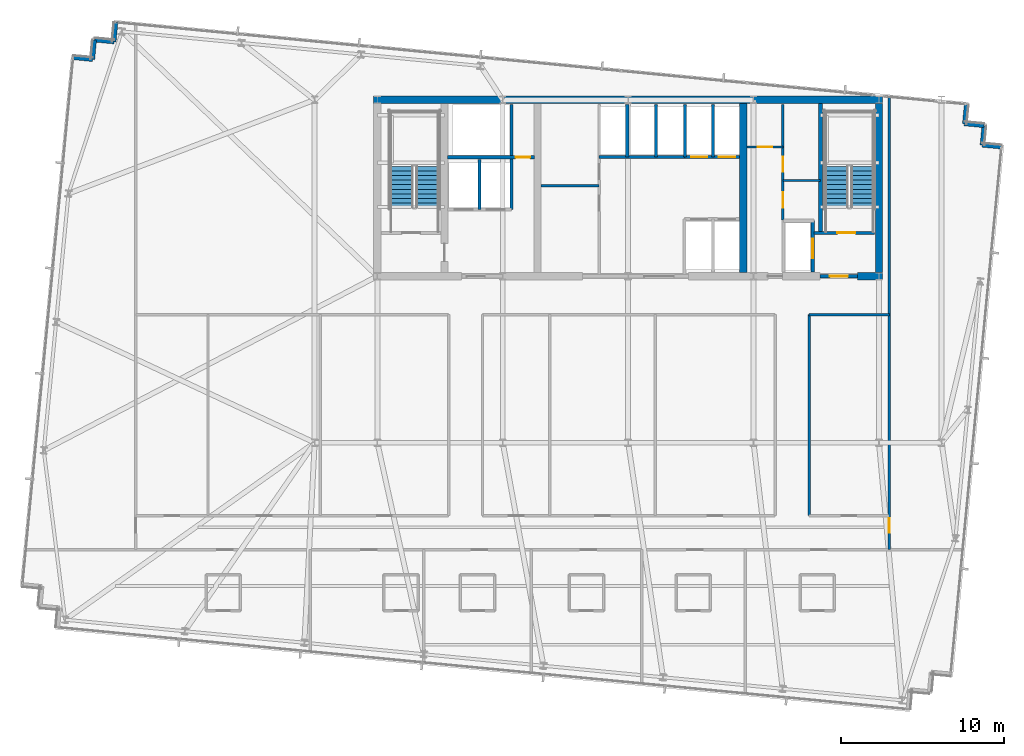
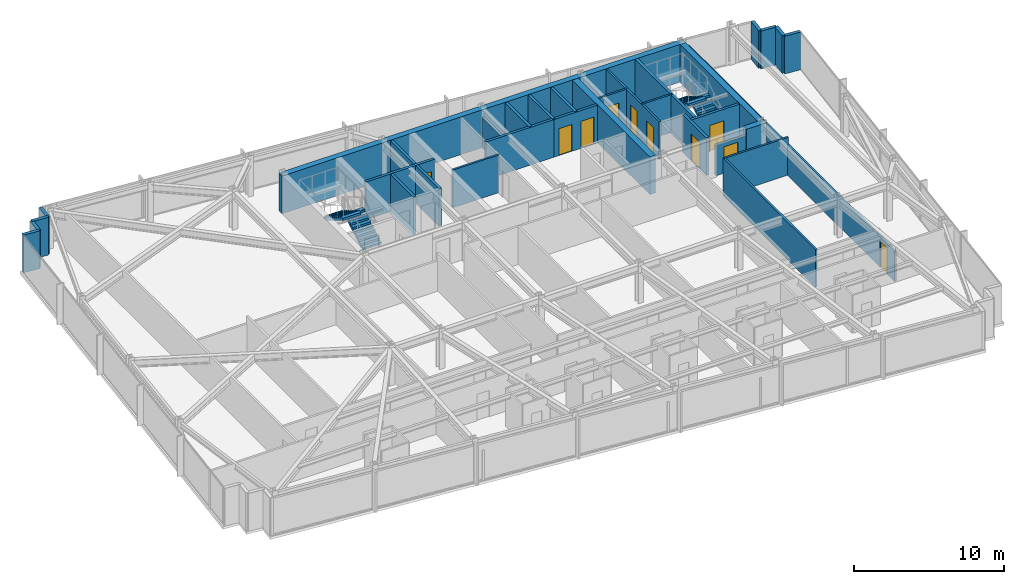
# One storey, part 31 of 36: 32 walls, 10 doors, 4 stair flights, 10 openings, 2 elements without a shape of their own.
"""IFC4 building model written with IfcOpenShell, lengths in metres."""

from ifc_helpers import new_model, si_unit, direction, frame, frame_2d, origin, place, context, subcontext, project, spatial, polyline, rectangle, outline, extrude, material, layer, layer_set, type_object, element, fill, aggregate, save


model = new_model("IFC4")

# Units and contexts
model_context = context("Model", 3, precision=1e-05, world=origin(), true_north=direction((0.0, 1.0)))
body_context = subcontext(model_context, "Body", "Model", "MODEL_VIEW")
ifc_project = project(units=[si_unit("LENGTHUNIT", "METRE"), si_unit("AREAUNIT", "SQUARE_METRE"), si_unit("VOLUMEUNIT", "CUBIC_METRE"), si_unit("PLANEANGLEUNIT", "RADIAN"), si_unit("MASSUNIT", "GRAM", prefix="KILO")], contexts=[model_context])

# Site, building, storey
site_placement = place(None, origin())
site = spatial("IfcSite", under=ifc_project, at=site_placement, CompositionType="ELEMENT")
building_placement = place(site_placement, origin())
building = spatial("IfcBuilding", under=site, at=building_placement, Name="Yelkora Congress Tower", CompositionType="ELEMENT")
storey_placement = place(building_placement, frame((0.0, 0.0, 152.300048828125)))
storey = spatial("IfcBuildingStorey", under=building, at=storey_placement, Name="L41", CompositionType="ELEMENT", Elevation=152.300048828125)

# Walls
ifc_material_1 = material(Name="Concrete C50/60", Category="concrete")
ifc_layer_1 = layer(ifc_material_1, 0.219970703125)
ifc_layer_set_1 = layer_set([ifc_layer_1], Name="Concrete C50/60")
wall_type_1 = type_object("IfcWallType", Name="WALL-CORE-INT-220", PredefinedType="SHEAR", material=ifc_layer_set_1)
wall_1_placement = place(storey_placement, frame((50.179931640625, 38.050048828125, 0.0), z_axis=(0.0, 0.0, 1.0), x_axis=(0.0, 1.0, 0.0)))
element("IfcWall", 1, at=wall_1_placement, inside=storey, type_object=wall_type_1, Name="L41 ST02 West Stair Shear Wall", PredefinedType="SHEAR", context=body_context, shape_type="SweptSolid", body=[
    extrude(rectangle(XDim=7.925048828125, YDim=0.219970703125, at=frame_2d((3.96240234375, 0.0))), origin(), (0.0, 0.0, 1.0), 3.079833984375),
])
ifc_material_2 = material(Name="Concrete C60/75", Category="concrete")
ifc_layer_2 = layer(ifc_material_2, 0.449951171875)
ifc_layer_set_2 = layer_set([ifc_layer_2], Name="Concrete C60/75")
wall_type_2 = type_object("IfcWallType", Name="WALL-CORE-INT-450", PredefinedType="SHEAR", material=ifc_layer_set_2)
wall_2_placement = place(storey_placement, frame((22.81494140625, 46.199951171875, 0.0), z_axis=(0.0, 0.0, 1.0), x_axis=(1.0, 0.0, 0.0)))
element("IfcWall", 2, at=wall_2_placement, inside=storey, type_object=wall_type_2, Name="L41 Rear Core North Shear Wall", PredefinedType="SHEAR", context=body_context, shape_type="SweptSolid", body=[
    extrude(rectangle(XDim=31.170166015625, YDim=0.449951171875, at=frame_2d((15.5849609375, 0.0))), origin(), (0.0, 0.0, 1.0), 3.079833984375),
])
wall_3_placement = place(storey_placement, frame((52.449951171875, 35.39990234375, 0.0), z_axis=(0.0, 0.0, 1.0), x_axis=(1.0, 0.0, 0.0)))
element("IfcWall", 3, at=wall_3_placement, inside=storey, type_object=wall_type_2, Name="L41 Rear Core South-East Shear Wall B", PredefinedType="SHEAR", context=body_context, shape_type="SweptSolid", body=[
    extrude(rectangle(XDim=1.53515625, YDim=0.449951171875, at=frame_2d((0.767578125, 0.0))), origin(), (0.0, 0.0, 1.0), 3.079833984375),
])
for number, where, z_axis, x_axis, name in (
    (4, (45.449951171875, 35.625, 0.0), (0.0, 0.0, 1.0), (0.0, 1.0, 0.0), "L41 Rear Core Cross Shear Wall C3"),
    (5, (53.760009765625, 35.625, 0.0), (0.0, 0.0, 1.0), (0.0, 1.0, 0.0), "L41 Rear Core Cross Shear Wall E"),
):
    element("IfcWall", number, at=place(storey_placement, frame(where, z_axis=z_axis, x_axis=x_axis)), inside=storey, type_object=wall_type_2, Name=name, PredefinedType="SHEAR", context=body_context, shape_type="SweptSolid", body=[
        extrude(rectangle(XDim=10.35009765625, YDim=0.449951171875, at=frame_2d((5.175048828125, 0.0))), origin(), (0.0, 0.0, 1.0), 3.079833984375),
    ])
ifc_material_3 = material(Name="Concrete C40/50", Category="concrete")
ifc_layer_3 = layer(ifc_material_3, 0.239990234375)
ifc_layer_set_3 = layer_set([ifc_layer_3], Name="Concrete C40/50")
wall_type_3 = type_object("IfcWallType", Name="WALL-EXT-LIMESTONE-240", PredefinedType="SOLIDWALL", material=ifc_layer_set_3)
wall_4_placement = place(storey_placement, frame((4.41064453125, 48.778564453125, 0.0), z_axis=(0.0, 0.0, 1.0), x_axis=(0.995397091755, -0.095836473879, 0.0)))
element("IfcWall", 6, at=wall_4_placement, inside=storey, type_object=wall_type_3, Name="L41 Serrated Corner Limestone Pier 6", PredefinedType="SOLIDWALL", context=body_context, shape_type="SweptSolid", body=[
    extrude(rectangle(XDim=1.199951171875, YDim=0.239990234375, at=frame_2d((0.60009765625, 0.0))), origin(), (0.0, 0.0, 1.0), 3.079833984375),
])
wall_5_placement = place(storey_placement, frame((5.60498046875, 48.66357421875, 0.0), z_axis=(0.0, 0.0, 1.0), x_axis=(0.096018626938, 0.995379537303, 0.0)))
element("IfcWall", 7, at=wall_5_placement, inside=storey, type_object=wall_type_3, Name="L41 Serrated Corner Limestone Pier 7", PredefinedType="SOLIDWALL", context=body_context, shape_type="SweptSolid", body=[
    extrude(rectangle(XDim=1.2001953125, YDim=0.239990234375, at=frame_2d((0.60009765625, 0.0))), origin(), (0.0, 0.0, 1.0), 3.079833984375),
])
for number, where, z_axis, x_axis, name in (
    (8, (5.72021484375, 49.858154296875, 0.0), (0.0, 0.0, 1.0), (0.995397091755, -0.095836473879, 0.0), "L41 Serrated Corner Limestone Pier 8"),
    (9, (6.91455078125, 49.7431640625, 0.0), (0.0, 0.0, 1.0), (0.095836473879, 0.995397091755, 0.0), "L41 Serrated Corner Limestone Pier 9"),
):
    element("IfcWall", number, at=place(storey_placement, frame(where, z_axis=z_axis, x_axis=x_axis)), inside=storey, type_object=wall_type_3, Name=name, PredefinedType="SOLIDWALL", context=body_context, shape_type="SweptSolid", body=[
        extrude(rectangle(XDim=1.199951171875, YDim=0.239990234375, at=frame_2d((0.60009765625, 0.0))), origin(), (0.0, 0.0, 1.0), 3.079833984375),
    ])
for number, where, z_axis, x_axis, name in (
    (10, (59.108642578125, 45.923095703125, 0.0), (0.0, 0.0, 1.0), (-0.095817067274, -0.995398960025, 0.0), "L41 Serrated Corner Limestone Pier 11"),
    (11, (58.99365234375, 44.728515625, 0.0), (0.0, 0.0, 1.0), (0.995398960025, -0.095817067274, 0.0), "L41 Serrated Corner Limestone Pier 12"),
    (12, (60.188232421875, 44.613525390625, 0.0), (0.0, 0.0, 1.0), (-0.096018626938, -0.995379537303, 0.0), "L41 Serrated Corner Limestone Pier 13"),
    (13, (60.072998046875, 43.4189453125, 0.0), (0.0, 0.0, 1.0), (0.995398960025, -0.095817067274, 0.0), "L41 Serrated Corner Limestone Pier 14"),
):
    element("IfcWall", number, at=place(storey_placement, frame(where, z_axis=z_axis, x_axis=x_axis)), inside=storey, type_object=wall_type_3, Name=name, PredefinedType="SOLIDWALL", context=body_context, shape_type="SweptSolid", body=[
        extrude(rectangle(XDim=1.2001953125, YDim=0.239990234375, at=frame_2d((0.60009765625, 0.0))), origin(), (0.0, 0.0, 1.0), 3.079833984375),
    ])

# Wall, opening, door
ifc_material_4 = material(Name="Acoustic metal-stud gypsum partition", Category="gypsum")
ifc_layer_4 = layer(ifc_material_4, 0.14990234375)
ifc_layer_set_4 = layer_set([ifc_layer_4], Name="Acoustic metal-stud gypsum partition")
wall_type_4 = type_object("IfcWallType", Name="WALL-INT-150-NR", PredefinedType="PARTITIONING", material=ifc_layer_set_4)
wall_6_placement = place(storey_placement, frame((45.679931640625, 43.31005859375, 0.0), z_axis=(0.0, 0.0, 1.0), x_axis=(1.0, 0.0, 0.0)))
wall_6 = element("IfcWall", 14, at=wall_6_placement, inside=storey, type_object=wall_type_4, Name="L41 Partition Wall 24", PredefinedType="PARTITIONING", context=body_context, shape_type="SweptSolid", body=[
    extrude(rectangle(XDim=2.199951171875, YDim=0.14990234375, at=frame_2d((1.10009765625, 0.0))), origin(), (0.0, 0.0, 1.0), 3.079833984375),
])
opening_1_placement = place(wall_6_placement, frame((0.64990234375, 0.0, 0.0)))
opening_1 = element("IfcOpeningElement", 15, at=opening_1_placement, cuts=wall_6, Name="Opening DR-090N", PredefinedType="OPENING", context=body_context, shape_type="SweptSolid", body=[
    extrude(rectangle(XDim=0.89990234375, YDim=2.14990234375, at=frame_2d((0.449951171875, 1.074951171875))), frame((0.0, 0.0849609375, 0.0), z_axis=(0.0, -1.0, 0.0), x_axis=(1.0, 0.0, 0.0)), (0.0, 0.0, 1.0), 0.169921875),
])
ifc_material_5 = material(Name="Moisture-resistant laminate door leaf", Category="wood")
door_type_1 = type_object("IfcDoorType", Name="DOOR-INT-900", OperationType="NOTDEFINED", PredefinedType="DOOR", material=ifc_material_5)
door_1_placement = place(opening_1_placement, origin())
door_1 = element("IfcDoor", 16, at=door_1_placement, inside=storey, type_object=door_type_1, Name="L41 Male WC Door", OperationType="SINGLE_SWING_RIGHT", OverallHeight=2.14990234375, OverallWidth=0.89990234375, PredefinedType="DOOR", context=body_context, shape_type="SweptSolid", body=[
    extrude(rectangle(XDim=0.89990234375, YDim=2.14990234375, at=frame_2d((0.449951171875, 1.074951171875))), frame((0.0, 0.02490234375, 0.0), z_axis=(0.0, -1.0, 0.0), x_axis=(1.0, 0.0, 0.0)), (0.0, 0.0, 1.0), 0.050048828125),
])
fill(opening_1, door_1)

# Wall
wall_7_placement = place(storey_placement, frame((47.8798828125, 41.260009765625, 0.0), z_axis=(0.0, 0.0, 1.0), x_axis=(1.0, 0.0, 0.0)))
element("IfcWall", 17, at=wall_7_placement, inside=storey, type_object=wall_type_4, Name="L41 Partition Wall 25", PredefinedType="PARTITIONING", context=body_context, shape_type="SweptSolid", body=[
    extrude(rectangle(XDim=2.300048828125, YDim=0.14990234375, at=frame_2d((1.14990234375, 0.0))), origin(), (0.0, 0.0, 1.0), 3.079833984375),
])

# Wall, openings, doors
wall_8_placement = place(storey_placement, frame((47.8798828125, 38.85009765625, 0.0), z_axis=(0.0, 0.0, 1.0), x_axis=(0.0, 1.0, 0.0)))
wall_8 = element("IfcWall", 18, at=wall_8_placement, inside=storey, type_object=wall_type_4, Name="L41 Partition Wall 26", PredefinedType="PARTITIONING", context=body_context, shape_type="SweptSolid", body=[
    extrude(rectangle(XDim=7.06982421875, YDim=0.14990234375, at=frame_2d((3.534912109375, 0.0))), origin(), (0.0, 0.0, 1.0), 3.079833984375),
])
opening_2_placement = place(wall_8_placement, frame((0.75, 0.0, 0.0)))
opening_2 = element("IfcOpeningElement", 19, at=opening_2_placement, cuts=wall_8, Name="Opening DR-095N", PredefinedType="OPENING", context=body_context, shape_type="SweptSolid", body=[
    extrude(rectangle(XDim=0.949951171875, YDim=2.14990234375, at=frame_2d((0.47509765625, 1.074951171875))), frame((0.0, 0.0849609375, 0.0), z_axis=(0.0, -1.0, 0.0), x_axis=(1.0, 0.0, 0.0)), (0.0, 0.0, 1.0), 0.169921875),
])
opening_3_placement = place(wall_8_placement, frame((2.949951171875, 0.0, 0.0)))
opening_3 = element("IfcOpeningElement", 20, at=opening_3_placement, cuts=wall_8, Name="Opening DR-090N", PredefinedType="OPENING", context=body_context, shape_type="SweptSolid", body=[
    extrude(rectangle(XDim=0.89990234375, YDim=2.14990234375, at=frame_2d((0.449951171875, 1.074951171875))), frame((0.0, 0.0849609375, 0.0), z_axis=(0.0, -1.0, 0.0), x_axis=(1.0, 0.0, 0.0)), (0.0, 0.0, 1.0), 0.169921875),
])
door_2_placement = place(opening_3_placement, origin())
door_2 = element("IfcDoor", 21, at=door_2_placement, inside=storey, type_object=door_type_1, Name="L41 Female WC Door", OperationType="SINGLE_SWING_RIGHT", OverallHeight=2.14990234375, OverallWidth=0.89990234375, PredefinedType="DOOR", context=body_context, shape_type="SweptSolid", body=[
    extrude(rectangle(XDim=0.89990234375, YDim=2.14990234375, at=frame_2d((0.449951171875, 1.074951171875))), frame((0.0, 0.02490234375, 0.0), z_axis=(0.0, -1.0, 0.0), x_axis=(1.0, 0.0, 0.0)), (0.0, 0.0, 1.0), 0.050048828125),
])
fill(opening_3, door_2)
ifc_material_6 = material(Name="Acoustic laminated timber office door", Category="wood")
door_type_2 = type_object("IfcDoorType", Name="DOOR-INT-950", OperationType="NOTDEFINED", PredefinedType="DOOR", material=ifc_material_6)
door_3_placement = place(opening_2_placement, origin())
door_3 = element("IfcDoor", 22, at=door_3_placement, inside=storey, type_object=door_type_2, Name="L41 Accessible WC Door", OperationType="SINGLE_SWING_LEFT", OverallHeight=2.14990234375, OverallWidth=0.949951171875, PredefinedType="DOOR", context=body_context, shape_type="SweptSolid", body=[
    extrude(rectangle(XDim=0.949951171875, YDim=2.14990234375, at=frame_2d((0.47509765625, 1.074951171875))), frame((0.0, 0.02490234375, 0.0), z_axis=(0.0, -1.0, 0.0), x_axis=(1.0, 0.0, 0.0)), (0.0, 0.0, 1.0), 0.050048828125),
])
fill(opening_2, door_3)

# Wall, opening, door
wall_9_placement = place(storey_placement, frame((54.39990234375, 18.64990234375, 0.0), z_axis=(0.0, 0.0, 1.0), x_axis=(0.0, 1.0, 0.0)))
wall_9 = element("IfcWall", 23, at=wall_9_placement, inside=storey, type_object=wall_type_4, Name="L41 Partition Wall 58", PredefinedType="PARTITIONING", context=body_context, shape_type="SweptSolid", body=[
    extrude(rectangle(XDim=27.78662109375, YDim=0.14990234375, at=frame_2d((13.893310546875, 0.0))), origin(), (0.0, 0.0, 1.0), 2.474853515625),
])
opening_4_placement = place(wall_9_placement, frame((1.030029296875, 0.0, 0.0)))
opening_4 = element("IfcOpeningElement", 24, at=opening_4_placement, cuts=wall_9, Name="Opening DR-090N", PredefinedType="OPENING", context=body_context, shape_type="SweptSolid", body=[
    extrude(rectangle(XDim=0.89990234375, YDim=2.14990234375, at=frame_2d((0.449951171875, 1.074951171875))), frame((0.0, 0.0849609375, 0.0), z_axis=(0.0, -1.0, 0.0), x_axis=(1.0, 0.0, 0.0)), (0.0, 0.0, 1.0), 0.169921875),
])
door_4_placement = place(opening_4_placement, origin())
door_4 = element("IfcDoor", 25, at=door_4_placement, inside=storey, type_object=door_type_1, Name="L41 E Wing Door", OperationType="SINGLE_SWING_RIGHT", OverallHeight=2.14990234375, OverallWidth=0.89990234375, PredefinedType="DOOR", context=body_context, shape_type="SweptSolid", body=[
    extrude(rectangle(XDim=0.89990234375, YDim=2.14990234375, at=frame_2d((0.449951171875, 1.074951171875))), frame((0.0, 0.02490234375, 0.0), z_axis=(0.0, -1.0, 0.0), x_axis=(1.0, 0.0, 0.0)), (0.0, 0.0, 1.0), 0.050048828125),
])
fill(opening_4, door_4)

# Walls
wall_10_placement = place(storey_placement, frame((49.47998046875, 20.72998046875, 0.0), z_axis=(0.0, 0.0, 1.0), x_axis=(0.0, 1.0, 0.0)))
element("IfcWall", 26, at=wall_10_placement, inside=storey, type_object=wall_type_4, Name="L41 Partition Wall 62", PredefinedType="PARTITIONING", context=body_context, shape_type="SweptSolid", body=[
    extrude(rectangle(XDim=12.320068359375, YDim=0.14990234375, at=frame_2d((6.16015625, 0.0))), origin(), (0.0, 0.0, 1.0), 3.079833984375),
])
wall_11_placement = place(storey_placement, frame((49.47998046875, 33.050048828125, 0.0), z_axis=(0.0, 0.0, 1.0), x_axis=(1.0, 0.0, 0.0)))
element("IfcWall", 27, at=wall_11_placement, inside=storey, type_object=wall_type_4, Name="L41 Partition Wall 65", PredefinedType="PARTITIONING", context=body_context, shape_type="SweptSolid", body=[
    extrude(rectangle(XDim=4.919921875, YDim=0.14990234375, at=frame_2d((2.4599609375, 0.0))), origin(), (0.0, 0.0, 1.0), 3.079833984375),
])
ifc_material_7 = material(Name="Twin-stud fire-rated gypsum partition", Category="gypsum")
ifc_layer_5 = layer(ifc_material_7, 0.14990234375)
ifc_layer_set_5 = layer_set([ifc_layer_5], Name="Twin-stud fire-rated gypsum partition")
wall_type_5 = type_object("IfcWallType", Name="WALL-INT-150-R60", PredefinedType="PARTITIONING", material=ifc_layer_set_5)
wall_12_placement = place(storey_placement, frame((33.050048828125, 40.949951171875, 0.0), z_axis=(0.0, 0.0, 1.0), x_axis=(1.0, 0.0, 0.0)))
element("IfcWall", 28, at=wall_12_placement, inside=storey, type_object=wall_type_5, Name="L41 Partition Wall 11", PredefinedType="PARTITIONING", context=body_context, shape_type="SweptSolid", body=[
    extrude(rectangle(XDim=3.570068359375, YDim=0.14990234375, at=frame_2d((1.78515625, 0.0))), origin(), (0.0, 0.0, 1.0), 3.079833984375),
])
ifc_material_8 = material(Name="Autoclaved aerated concrete blockwork", Category="masonry")
ifc_layer_6 = layer(ifc_material_8, 0.199951171875)
ifc_layer_set_6 = layer_set([ifc_layer_6], Name="Autoclaved aerated concrete blockwork")
wall_type_6 = type_object("IfcWallType", Name="WALL-INT-200-R120", PredefinedType="PARTITIONING", material=ifc_layer_set_6)
wall_13_placement = place(storey_placement, frame((29.300048828125, 39.47998046875, 0.0), z_axis=(0.0, 0.0, 1.0), x_axis=(0.0, 1.0, 0.0)))
element("IfcWall", 29, at=wall_13_placement, inside=storey, type_object=wall_type_6, Name="L41 Partition Wall 4", PredefinedType="PARTITIONING", context=body_context, shape_type="SweptSolid", body=[
    extrude(rectangle(XDim=3.070068359375, YDim=0.199951171875, at=frame_2d((1.53515625, 0.0))), origin(), (0.0, 0.0, 1.0), 3.079833984375),
])
wall_14_placement = place(storey_placement, frame((31.260009765625, 39.47998046875, 0.0), z_axis=(0.0, 0.0, 1.0), x_axis=(0.0, 1.0, 0.0)))
element("IfcWall", 30, at=wall_14_placement, inside=storey, type_object=wall_type_6, Name="L41 Partition Wall 5", PredefinedType="PARTITIONING", context=body_context, shape_type="SweptSolid", body=[
    extrude(rectangle(XDim=6.43994140625, YDim=0.199951171875, at=frame_2d((3.219970703125, 0.0))), origin(), (0.0, 0.0, 1.0), 3.079833984375),
])

# Wall, opening, door
wall_15_placement = place(storey_placement, frame((27.320068359375, 42.679931640625, 0.0), z_axis=(0.0, 0.0, 1.0), x_axis=(1.0, 0.0, 0.0)))
wall_15 = element("IfcWall", 31, at=wall_15_placement, inside=storey, type_object=wall_type_6, Name="L41 Smoke Riser South Wall", PredefinedType="PARTITIONING", context=body_context, shape_type="SweptSolid", body=[
    extrude(rectangle(XDim=5.329833984375, YDim=0.199951171875, at=frame_2d((2.6650390625, 0.0))), origin(), (0.0, 0.0, 1.0), 3.079833984375),
])
opening_5_placement = place(wall_15_placement, frame((4.179931640625, 0.0, 0.0)))
opening_5 = element("IfcOpeningElement", 32, at=opening_5_placement, cuts=wall_15, Name="Opening DR-090F6", PredefinedType="OPENING", context=body_context, shape_type="SweptSolid", body=[
    extrude(rectangle(XDim=0.89990234375, YDim=2.14990234375, at=frame_2d((0.449951171875, 1.074951171875))), frame((0.0, 0.10986328125, 0.0), z_axis=(0.0, -1.0, 0.0), x_axis=(1.0, 0.0, 0.0)), (0.0, 0.0, 1.0), 0.219970703125),
])
ifc_material_9 = material(Name="Painted steel riser fire door leaf", Category="steel")
door_type_3 = type_object("IfcDoorType", Name="DOOR-FD60-900", OperationType="NOTDEFINED", PredefinedType="DOOR", material=ifc_material_9)
door_5_placement = place(opening_5_placement, origin())
door_5 = element("IfcDoor", 33, at=door_5_placement, inside=storey, type_object=door_type_3, Name="L41 Riser Access Door", OperationType="SINGLE_SWING_LEFT", OverallHeight=2.14990234375, OverallWidth=0.89990234375, PredefinedType="DOOR", context=body_context, shape_type="SweptSolid", body=[
    extrude(rectangle(XDim=0.89990234375, YDim=2.14990234375, at=frame_2d((0.449951171875, 1.074951171875))), frame((0.0, 0.02490234375, 0.0), z_axis=(0.0, -1.0, 0.0), x_axis=(1.0, 0.0, 0.0)), (0.0, 0.0, 1.0), 0.050048828125),
])
fill(opening_5, door_5)

# Walls
wall_16_placement = place(storey_placement, frame((36.60009765625, 42.699951171875, 0.0), z_axis=(0.0, 0.0, 1.0), x_axis=(1.0, 0.0, 0.0)))
element("IfcWall", 34, at=wall_16_placement, inside=storey, type_object=wall_type_6, Name="L41 Partition Wall 8", PredefinedType="PARTITIONING", context=body_context, shape_type="SweptSolid", body=[
    extrude(rectangle(XDim=5.25, YDim=0.199951171875, at=frame_2d((2.625, 0.0))), origin(), (0.0, 0.0, 1.0), 3.079833984375),
])
wall_17_placement = place(storey_placement, frame((38.35009765625, 42.699951171875, 0.0), z_axis=(0.0, 0.0, 1.0), x_axis=(0.0, 1.0, 0.0)))
element("IfcWall", 35, at=wall_17_placement, inside=storey, type_object=wall_type_6, Name="L41 Partition Wall 9", PredefinedType="PARTITIONING", context=body_context, shape_type="SweptSolid", body=[
    extrude(rectangle(XDim=3.219970703125, YDim=0.199951171875, at=frame_2d((1.60986328125, 0.0))), origin(), (0.0, 0.0, 1.0), 2.474853515625),
])
wall_18_placement = place(storey_placement, frame((40.10009765625, 42.699951171875, 0.0), z_axis=(0.0, 0.0, 1.0), x_axis=(0.0, 1.0, 0.0)))
element("IfcWall", 36, at=wall_18_placement, inside=storey, type_object=wall_type_6, Name="L41 Partition Wall 10", PredefinedType="PARTITIONING", context=body_context, shape_type="SweptSolid", body=[
    extrude(rectangle(XDim=3.219970703125, YDim=0.199951171875, at=frame_2d((1.60986328125, 0.0))), origin(), (0.0, 0.0, 1.0), 3.079833984375),
])

# Wall, openings, doors
wall_19_placement = place(storey_placement, frame((41.85009765625, 42.699951171875, 0.0), z_axis=(0.0, 0.0, 1.0), x_axis=(1.0, 0.0, 0.0)))
wall_19 = element("IfcWall", 37, at=wall_19_placement, inside=storey, type_object=wall_type_6, Name="L41 Partition Wall 14", PredefinedType="PARTITIONING", context=body_context, shape_type="SweptSolid", body=[
    extrude(rectangle(XDim=3.369873046875, YDim=0.199951171875, at=frame_2d((1.68505859375, 0.0))), origin(), (0.0, 0.0, 1.0), 3.079833984375),
])
opening_6_placement = place(wall_19_placement, frame((0.39990234375, 0.0, 0.0)))
opening_6 = element("IfcOpeningElement", 38, at=opening_6_placement, cuts=wall_19, Name="Opening LD-PS10", PredefinedType="OPENING", context=body_context, shape_type="SweptSolid", body=[
    extrude(rectangle(XDim=1.0, YDim=2.199951171875, at=frame_2d((0.5, 1.10009765625))), frame((0.0, 0.10986328125, 0.0), z_axis=(0.0, -1.0, 0.0), x_axis=(1.0, 0.0, 0.0)), (0.0, 0.0, 1.0), 0.219970703125),
])
opening_7_placement = place(wall_19_placement, frame((2.10009765625, 0.0, 0.0)))
opening_7 = element("IfcOpeningElement", 39, at=opening_7_placement, cuts=wall_19, Name="Opening LD-PS10", PredefinedType="OPENING", context=body_context, shape_type="SweptSolid", body=[
    extrude(rectangle(XDim=1.0, YDim=2.199951171875, at=frame_2d((0.5, 1.10009765625))), frame((0.0, 0.10986328125, 0.0), z_axis=(0.0, -1.0, 0.0), x_axis=(1.0, 0.0, 0.0)), (0.0, 0.0, 1.0), 0.219970703125),
])
ifc_material_10 = material(Name="Champagne stainless steel landing door", Category="steel")
door_type_4 = type_object("IfcDoorType", Name="DOOR-LIFT-PAS-1000", OperationType="DOUBLE_DOOR_SLIDING", PredefinedType="DOOR", material=ifc_material_10)
door_6_placement = place(opening_6_placement, origin())
door_6 = element("IfcDoor", 40, at=door_6_placement, inside=storey, type_object=door_type_4, Name="Lift Landing Door LF-P7 L41", OperationType="DOUBLE_DOOR_SLIDING", OverallHeight=2.199951171875, OverallWidth=1.0, PredefinedType="DOOR", context=body_context, shape_type="SweptSolid", body=[
    extrude(rectangle(XDim=1.0, YDim=2.199951171875, at=frame_2d((0.5, 1.10009765625))), frame((0.0, 0.02490234375, 0.0), z_axis=(0.0, -1.0, 0.0), x_axis=(1.0, 0.0, 0.0)), (0.0, 0.0, 1.0), 0.050048828125),
])
fill(opening_6, door_6)
door_7_placement = place(opening_7_placement, origin())
door_7 = element("IfcDoor", 41, at=door_7_placement, inside=storey, type_object=door_type_4, Name="Lift Landing Door LF-P8 L41", OperationType="DOUBLE_DOOR_SLIDING", OverallHeight=2.199951171875, OverallWidth=1.0, PredefinedType="DOOR", context=body_context, shape_type="SweptSolid", body=[
    extrude(rectangle(XDim=1.0, YDim=2.199951171875, at=frame_2d((0.5, 1.10009765625))), frame((0.0, 0.02490234375, 0.0), z_axis=(0.0, -1.0, 0.0), x_axis=(1.0, 0.0, 0.0)), (0.0, 0.0, 1.0), 0.050048828125),
])
fill(opening_7, door_7)

# Walls
for number, where, z_axis, x_axis, name in (
    (42, (43.60009765625, 42.699951171875, 0.0), (0.0, 0.0, 1.0), (0.0, 1.0, 0.0), "L41 Partition Wall 16"),
    (43, (41.8798828125, 42.699951171875, 0.0), (0.0, 0.0, 1.0), (0.0, 1.0, 0.0), "L41 Partition Wall 18"),
):
    element("IfcWall", number, at=place(storey_placement, frame(where, z_axis=z_axis, x_axis=x_axis)), inside=storey, type_object=wall_type_6, Name=name, PredefinedType="PARTITIONING", context=body_context, shape_type="SweptSolid", body=[
        extrude(rectangle(XDim=3.219970703125, YDim=0.199951171875, at=frame_2d((1.60986328125, 0.0))), origin(), (0.0, 0.0, 1.0), 3.079833984375),
    ])

# Wall, opening, door
wall_20_placement = place(storey_placement, frame((49.780029296875, 38.050048828125, 0.0), z_axis=(0.0, 0.0, 1.0), x_axis=(1.0, 0.0, 0.0)))
wall_20 = element("IfcWall", 44, at=wall_20_placement, inside=storey, type_object=wall_type_6, Name="L41 Stair ST-02 Enclosure Wall", PredefinedType="PARTITIONING", context=body_context, shape_type="SweptSolid", body=[
    extrude(rectangle(XDim=3.719970703125, YDim=0.199951171875, at=frame_2d((1.85986328125, 0.0))), origin(), (0.0, 0.0, 1.0), 3.079833984375),
])
opening_8_placement = place(wall_20_placement, frame((1.436279296875, 0.0, 0.0)))
opening_8 = element("IfcOpeningElement", 45, at=opening_8_placement, cuts=wall_20, Name="Opening DR-110F9", PredefinedType="OPENING", context=body_context, shape_type="SweptSolid", body=[
    extrude(rectangle(XDim=1.10009765625, YDim=2.14990234375, at=frame_2d((0.550048828125, 1.074951171875))), frame((0.0, 0.10986328125, 0.0), z_axis=(0.0, -1.0, 0.0), x_axis=(1.0, 0.0, 0.0)), (0.0, 0.0, 1.0), 0.219970703125),
])
ifc_material_11 = material(Name="Galvanised steel fire door leaf", Category="steel")
door_type_5 = type_object("IfcDoorType", Name="DOOR-FD90-1100", OperationType="NOTDEFINED", PredefinedType="DOOR", material=ifc_material_11)
door_8_placement = place(opening_8_placement, origin())
door_8 = element("IfcDoor", 46, at=door_8_placement, inside=storey, type_object=door_type_5, Name="L41 Stair ST-02 Entry Door", OperationType="SINGLE_SWING_LEFT", OverallHeight=2.14990234375, OverallWidth=1.10009765625, PredefinedType="DOOR", context=body_context, shape_type="SweptSolid", body=[
    extrude(rectangle(XDim=1.10009765625, YDim=2.14990234375, at=frame_2d((0.550048828125, 1.074951171875))), frame((0.0, 0.02490234375, 0.0), z_axis=(0.0, -1.0, 0.0), x_axis=(1.0, 0.0, 0.0)), (0.0, 0.0, 1.0), 0.050048828125),
])
fill(opening_8, door_8)

wall_21_placement = place(storey_placement, frame((50.14990234375, 35.39990234375, 0.0), z_axis=(0.0, 0.0, 1.0), x_axis=(1.0, 0.0, 0.0)))
wall_21 = element("IfcWall", 47, at=wall_21_placement, inside=storey, type_object=wall_type_6, Name="L41 Partition Wall 20", PredefinedType="PARTITIONING", context=body_context, shape_type="SweptSolid", body=[
    extrude(rectangle(XDim=2.300048828125, YDim=0.199951171875, at=frame_2d((1.14990234375, 0.0))), origin(), (0.0, 0.0, 1.0), 2.474853515625),
])
opening_9_placement = place(wall_21_placement, frame((0.60009765625, 0.0, 0.0)))
opening_9 = element("IfcOpeningElement", 48, at=opening_9_placement, cuts=wall_21, Name="Opening DR-110F9", PredefinedType="OPENING", context=body_context, shape_type="SweptSolid", body=[
    extrude(rectangle(XDim=1.10009765625, YDim=2.14990234375, at=frame_2d((0.550048828125, 1.074951171875))), frame((0.0, 0.10986328125, 0.0), z_axis=(0.0, -1.0, 0.0), x_axis=(1.0, 0.0, 0.0)), (0.0, 0.0, 1.0), 0.219970703125),
])
door_9_placement = place(opening_9_placement, origin())
door_9 = element("IfcDoor", 49, at=door_9_placement, inside=storey, type_object=door_type_5, Name="L41 East Stair Lobby Door", OperationType="SINGLE_SWING_RIGHT", OverallHeight=2.14990234375, OverallWidth=1.10009765625, PredefinedType="DOOR", context=body_context, shape_type="SweptSolid", body=[
    extrude(rectangle(XDim=1.10009765625, YDim=2.14990234375, at=frame_2d((0.550048828125, 1.074951171875))), frame((0.0, 0.02490234375, 0.0), z_axis=(0.0, -1.0, 0.0), x_axis=(1.0, 0.0, 0.0)), (0.0, 0.0, 1.0), 0.050048828125),
])
fill(opening_9, door_9)

wall_22_placement = place(storey_placement, frame((49.699951171875, 35.64990234375, 0.0), z_axis=(0.0, 0.0, 1.0), x_axis=(0.0, 1.0, 0.0)))
wall_22 = element("IfcWall", 50, at=wall_22_placement, inside=storey, type_object=wall_type_6, Name="L41 Partition Wall 21", PredefinedType="PARTITIONING", context=body_context, shape_type="SweptSolid", body=[
    extrude(rectangle(XDim=3.150146484375, YDim=0.199951171875, at=frame_2d((1.5751953125, 0.0))), origin(), (0.0, 0.0, 1.0), 3.079833984375),
])
opening_10_placement = place(wall_22_placement, frame((0.85009765625, 0.0, 0.0)))
opening_10 = element("IfcOpeningElement", 51, at=opening_10_placement, cuts=wall_22, Name="Opening LD-SV12", PredefinedType="OPENING", context=body_context, shape_type="SweptSolid", body=[
    extrude(rectangle(XDim=1.199951171875, YDim=2.199951171875, at=frame_2d((0.60009765625, 1.10009765625))), frame((0.0, 0.10986328125, 0.0), z_axis=(0.0, -1.0, 0.0), x_axis=(1.0, 0.0, 0.0)), (0.0, 0.0, 1.0), 0.219970703125),
])
ifc_material_12 = material(Name="Heavy-duty stainless steel landing door", Category="steel")
door_type_6 = type_object("IfcDoorType", Name="DOOR-LIFT-SRV-1200", OperationType="DOUBLE_DOOR_SLIDING", PredefinedType="DOOR", material=ifc_material_12)
door_10_placement = place(opening_10_placement, origin())
door_10 = element("IfcDoor", 52, at=door_10_placement, inside=storey, type_object=door_type_6, Name="Service Lift Landing Door LF-SV1 L41", OperationType="DOUBLE_DOOR_SLIDING", OverallHeight=2.199951171875, OverallWidth=1.199951171875, PredefinedType="DOOR", context=body_context, shape_type="SweptSolid", body=[
    extrude(rectangle(XDim=1.199951171875, YDim=2.199951171875, at=frame_2d((0.60009765625, 1.10009765625))), frame((0.0, 0.02490234375, 0.0), z_axis=(0.0, -1.0, 0.0), x_axis=(1.0, 0.0, 0.0)), (0.0, 0.0, 1.0), 0.050048828125),
])
fill(opening_10, door_10)

# Stair, stair flights
stair_type = type_object("IfcStairType", Name="STAIR-HT-1420-R20-165", PredefinedType="HALF_TURN_STAIR", material=ifc_material_3)
stair_1_placement = place(storey_placement, origin())
stair_1 = element("IfcStair", 53, at=stair_1_placement, inside=storey, type_object=stair_type, Name="West Core Protected Exit Stair ST-01 (L41)", PredefinedType="HALF_TURN_STAIR")
stair_flight_type = type_object("IfcStairFlightType", Name="FLIGHT-1420-N10-R165-G280", PredefinedType="STRAIGHT", material=ifc_material_3)
stair_flight_1_placement = place(storey_placement, frame((26.110107421875, 39.60009765625, 0.0), z_axis=(0.0, 0.0, 1.0), x_axis=(0.0, 1.0, 0.0)))
stair_flight_1 = element("IfcStairFlight", 54, at=stair_flight_1_placement, type_object=stair_flight_type, Name="ST-01 L41 Flight 1", NumberOfRisers=10, NumberOfTreads=9, PredefinedType="STRAIGHT", RiserHeight=0.165, TreadLength=0.28, context=body_context, shape_type="SweptSolid", body=[
    extrude(outline(polyline([(0.0, 0.0), (0.0, 0.1650390625), (0.280029296875, 0.1650390625), (0.280029296875, 0.330078125), (0.56005859375, 0.330078125), (0.56005859375, 0.4951171875), (0.840087890625, 0.4951171875), (0.840087890625, 0.659912109375), (1.1201171875, 0.659912109375), (1.1201171875, 0.824951171875), (1.39990234375, 0.824951171875), (1.39990234375, 0.989990234375), (1.679931640625, 0.989990234375), (1.679931640625, 1.155029296875), (1.9599609375, 1.155029296875), (1.9599609375, 1.320068359375), (2.239990234375, 1.320068359375), (2.239990234375, 1.485107421875), (2.52001953125, 1.485107421875), (2.52001953125, 1.64990234375), (2.52001953125, 1.29931640625), (0.31494140625, 0.0), (0.0, 0.0)])), frame((0.0, 0.7099609375, 0.0), z_axis=(0.0, -1.0, 0.0), x_axis=(1.0, 0.0, 0.0)), (0.0, 0.0, 1.0), 1.419921875),
])
stair_flight_2_placement = place(storey_placement, frame((24.530029296875, 42.1201171875, 1.64990234375), z_axis=(0.0, 0.0, 1.0), x_axis=(0.0, -1.0, 0.0)))
stair_flight_2 = element("IfcStairFlight", 55, at=stair_flight_2_placement, type_object=stair_flight_type, Name="ST-01 L41 Flight 2", NumberOfRisers=10, NumberOfTreads=9, PredefinedType="STRAIGHT", RiserHeight=0.165, TreadLength=0.28, context=body_context, shape_type="SweptSolid", body=[
    extrude(outline(polyline([(0.0, 0.0), (0.0, 0.1650390625), (0.280029296875, 0.1650390625), (0.280029296875, 0.330078125), (0.56005859375, 0.330078125), (0.56005859375, 0.4951171875), (0.840087890625, 0.4951171875), (0.840087890625, 0.659912109375), (1.1201171875, 0.659912109375), (1.1201171875, 0.824951171875), (1.39990234375, 0.824951171875), (1.39990234375, 0.989990234375), (1.679931640625, 0.989990234375), (1.679931640625, 1.155029296875), (1.9599609375, 1.155029296875), (1.9599609375, 1.320068359375), (2.239990234375, 1.320068359375), (2.239990234375, 1.485107421875), (2.52001953125, 1.485107421875), (2.52001953125, 1.64990234375), (2.52001953125, 1.29931640625), (0.31494140625, 0.0), (0.0, 0.0)])), frame((0.0, 0.7099609375, 0.0), z_axis=(0.0, -1.0, 0.0), x_axis=(1.0, 0.0, 0.0)), (0.0, 0.0, 1.0), 1.419921875),
])
aggregate(stair_1, [stair_flight_1, stair_flight_2])

stair_2_placement = place(storey_placement, origin())
stair_2 = element("IfcStair", 56, at=stair_2_placement, inside=storey, type_object=stair_type, Name="East Core Protected Exit Stair ST-02 (L41)", PredefinedType="HALF_TURN_STAIR")
stair_flight_3_placement = place(storey_placement, frame((52.75, 39.60009765625, 0.0), z_axis=(0.0, 0.0, 1.0), x_axis=(0.0, 1.0, 0.0)))
stair_flight_3 = element("IfcStairFlight", 57, at=stair_flight_3_placement, type_object=stair_flight_type, Name="ST-02 L41 Flight 1", NumberOfRisers=10, NumberOfTreads=9, PredefinedType="STRAIGHT", RiserHeight=0.165, TreadLength=0.28, context=body_context, shape_type="SweptSolid", body=[
    extrude(outline(polyline([(0.0, 0.0), (0.0, 0.1650390625), (0.280029296875, 0.1650390625), (0.280029296875, 0.330078125), (0.56005859375, 0.330078125), (0.56005859375, 0.4951171875), (0.840087890625, 0.4951171875), (0.840087890625, 0.659912109375), (1.1201171875, 0.659912109375), (1.1201171875, 0.824951171875), (1.39990234375, 0.824951171875), (1.39990234375, 0.989990234375), (1.679931640625, 0.989990234375), (1.679931640625, 1.155029296875), (1.9599609375, 1.155029296875), (1.9599609375, 1.320068359375), (2.239990234375, 1.320068359375), (2.239990234375, 1.485107421875), (2.52001953125, 1.485107421875), (2.52001953125, 1.64990234375), (2.52001953125, 1.29931640625), (0.31494140625, 0.0), (0.0, 0.0)])), frame((0.0, 0.7099609375, 0.0), z_axis=(0.0, -1.0, 0.0), x_axis=(1.0, 0.0, 0.0)), (0.0, 0.0, 1.0), 1.419921875),
])
stair_flight_4_placement = place(storey_placement, frame((51.169921875, 42.1201171875, 1.64990234375), z_axis=(0.0, 0.0, 1.0), x_axis=(0.0, -1.0, 0.0)))
stair_flight_4 = element("IfcStairFlight", 58, at=stair_flight_4_placement, type_object=stair_flight_type, Name="ST-02 L41 Flight 2", NumberOfRisers=10, NumberOfTreads=9, PredefinedType="STRAIGHT", RiserHeight=0.165, TreadLength=0.28, context=body_context, shape_type="SweptSolid", body=[
    extrude(outline(polyline([(0.0, 0.0), (0.0, 0.1650390625), (0.280029296875, 0.1650390625), (0.280029296875, 0.330078125), (0.56005859375, 0.330078125), (0.56005859375, 0.4951171875), (0.840087890625, 0.4951171875), (0.840087890625, 0.659912109375), (1.1201171875, 0.659912109375), (1.1201171875, 0.824951171875), (1.39990234375, 0.824951171875), (1.39990234375, 0.989990234375), (1.679931640625, 0.989990234375), (1.679931640625, 1.155029296875), (1.9599609375, 1.155029296875), (1.9599609375, 1.320068359375), (2.239990234375, 1.320068359375), (2.239990234375, 1.485107421875), (2.52001953125, 1.485107421875), (2.52001953125, 1.64990234375), (2.52001953125, 1.29931640625), (0.31494140625, 0.0), (0.0, 0.0)])), frame((0.0, 0.7099609375, 0.0), z_axis=(0.0, -1.0, 0.0), x_axis=(1.0, 0.0, 0.0)), (0.0, 0.0, 1.0), 1.419921875),
])
aggregate(stair_2, [stair_flight_3, stair_flight_4])

save(model, "model.ifc")
